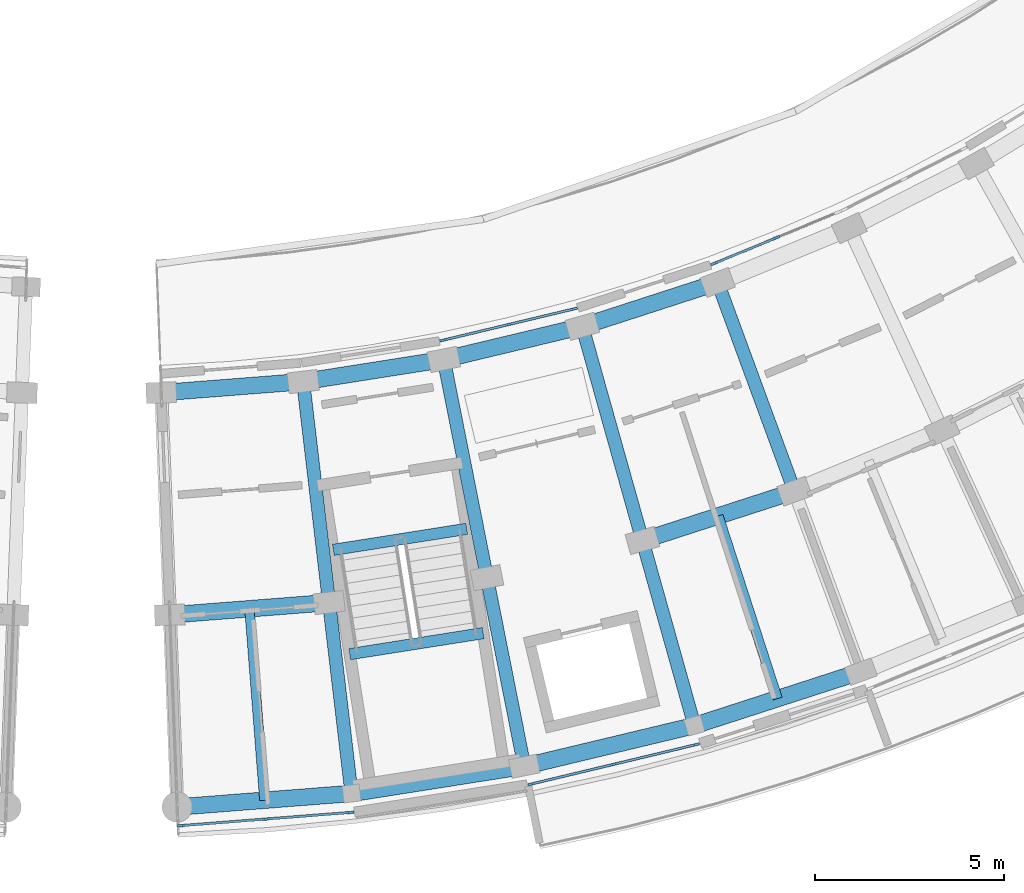
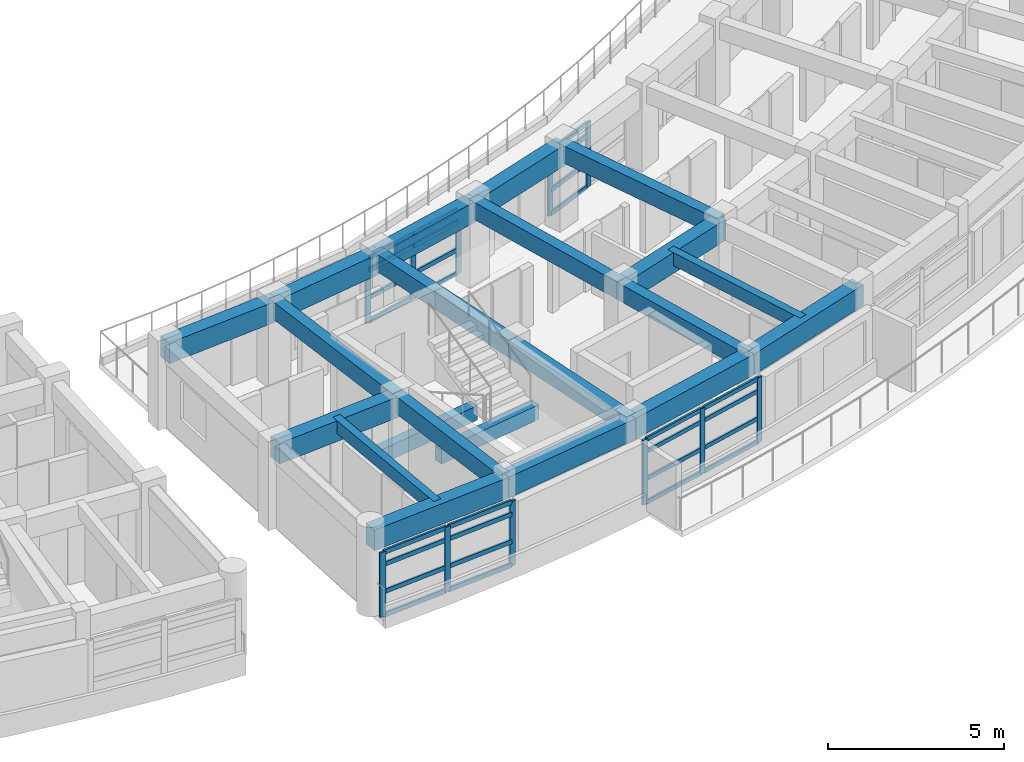
# One storey, part 17 of 54: 39 members, 21 beams, 4 elements without a shape of their own.
"""IFC4 building model written with IfcOpenShell, lengths in metres."""

from ifc_helpers import new_model, si_unit, direction, frame, origin, origin_2d, place, context, subcontext, project, spatial, rectangle, extrude, material, material_profile, profile_set, type_object, element, aggregate, save


model = new_model("IFC4")

# Units and contexts
model_context = context("Model", 3, precision=1e-05, world=origin(), true_north=direction((0.0, 1.0)))
body_context = subcontext(model_context, "Body", "Model", "MODEL_VIEW")
ifc_project = project(units=[si_unit("LENGTHUNIT", "METRE"), si_unit("AREAUNIT", "SQUARE_METRE"), si_unit("VOLUMEUNIT", "CUBIC_METRE"), si_unit("PLANEANGLEUNIT", "RADIAN"), si_unit("MASSUNIT", "GRAM", prefix="KILO")], contexts=[model_context])

# Site, building, storey
site_placement = place(None, origin())
site = spatial("IfcSite", under=ifc_project, at=site_placement, CompositionType="ELEMENT")
building_placement = place(site_placement, origin())
building = spatial("IfcBuilding", under=site, at=building_placement, Name="Zimvara Arc Housing Community", CompositionType="ELEMENT")
storey_placement = place(building_placement, frame((0.0, 0.0, 20.5)))
storey = spatial("IfcBuildingStorey", under=building, at=storey_placement, Name="L06", CompositionType="ELEMENT", Elevation=20.5)

# Beams
ifc_material_1 = material(Name="Concrete C40/50", Category="concrete")
ifc_material_profile_1 = material_profile(ifc_material_1, rectangle(XDim=0.25, YDim=0.449951171875, at=origin_2d()), Name="RC 250x450")
ifc_profile_set_1 = profile_set([ifc_material_profile_1], Name="Concrete C40/50")
beam_type_1 = type_object("IfcBeamType", Name="BM-RC-250x450", PredefinedType="JOIST", material=ifc_profile_set_1)
beam_1_placement = place(storey_placement, frame((130.151123046875, 56.263427734375, 2.635009765625), z_axis=(0.077579175615, -0.996986194243, 0.0), x_axis=(0.996986194243, 0.077579175615, 0.0)))
element("IfcBeam", 1, at=beam_1_placement, inside=storey, type_object=beam_type_1, Name="bm:blkD:L06:joist:b0", PredefinedType="JOIST", context=body_context, shape_type="SweptSolid", body=[
    extrude(rectangle(XDim=0.25, YDim=0.449951171875, at=origin_2d()), origin(), (0.0, 0.0, 1.0), 5.076171875),
])
beam_2_placement = place(storey_placement, frame((142.547607421875, 58.718017578125, 2.635009765625), z_axis=(0.308208278328, -0.951318904033, 0.0), x_axis=(0.951318904033, 0.308208278328, 0.0)))
element("IfcBeam", 2, at=beam_2_placement, inside=storey, type_object=beam_type_1, Name="bm:blkD:L06:joist:b3", PredefinedType="JOIST", context=body_context, shape_type="SweptSolid", body=[
    extrude(rectangle(XDim=0.25, YDim=0.449951171875, at=origin_2d()), origin(), (0.0, 0.0, 1.0), 5.075927734375),
])
ifc_material_2 = material(Name="Concrete C40/50", Category="concrete")
ifc_material_profile_2 = material_profile(ifc_material_2, rectangle(XDim=0.300048828125, YDim=0.5, at=origin_2d()), Name="RC 300x500")
ifc_profile_set_2 = profile_set([ifc_material_profile_2], Name="Concrete C40/50")
beam_type_2 = type_object("IfcBeamType", Name="BM-RC-300x500", PredefinedType="BEAM", material=ifc_profile_set_2)
for number, where, z_axis, x_axis, name in (
    (3, (132.36865234375, 57.8203125, -0.25), (0.987823881982, 0.155576277709, 0.0), (-0.155576277709, 0.987823881982, 0.0), "bm:stair_trim:ST-D1:L06:near"),
    (4, (132.802734375, 55.064208984375, 1.300048828125), (0.987823881982, 0.155576277709, 0.0), (-0.155576277709, 0.987823881982, 0.0), "bm:stair_trim:ST-D1:L06:mid"),
):
    element("IfcBeam", number, at=place(storey_placement, frame(where, z_axis=z_axis, x_axis=x_axis)), inside=storey, type_object=beam_type_2, Name=name, PredefinedType="BEAM", context=body_context, shape_type="SweptSolid", body=[
        extrude(rectangle(XDim=0.300048828125, YDim=0.5, at=origin_2d()), origin(), (0.0, 0.0, 1.0), 3.570068359375),
    ])
ifc_material_3 = material(Name="Concrete C40/50", Category="concrete")
ifc_material_profile_3 = material_profile(ifc_material_3, rectangle(XDim=0.35009765625, YDim=0.60009765625, at=origin_2d()), Name="RC 350x600")
ifc_profile_set_3 = profile_set([ifc_material_profile_3], Name="Concrete C40/50")
beam_type_3 = type_object("IfcBeamType", Name="BM-RC-350x600", PredefinedType="BEAM", material=ifc_profile_set_3)
beam_3_placement = place(storey_placement, frame((131.57080078125, 62.267333984375, 2.56005859375), z_axis=(0.116672613124, -0.993170429154, 0.0), x_axis=(0.993170429154, 0.116672613124, 0.0)))
element("IfcBeam", 5, at=beam_3_placement, inside=storey, type_object=beam_type_3, Name="bm:blkD:L06:rad:b1:r12", PredefinedType="BEAM", context=body_context, shape_type="SweptSolid", body=[
    extrude(rectangle(XDim=0.35009765625, YDim=0.60009765625, at=origin_2d()), origin(), (0.0, 0.0, 1.0), 5.8798828125),
])
beam_4_placement = place(storey_placement, frame((132.2568359375, 56.427490234375, 2.56005859375), z_axis=(0.116685098261, -0.993168962384, 0.0), x_axis=(0.993168962384, 0.116685098261, 0.0)))
element("IfcBeam", 6, at=beam_4_placement, inside=storey, type_object=beam_type_3, Name="bm:blkD:L06:rad:b1:r23", PredefinedType="BEAM", context=body_context, shape_type="SweptSolid", body=[
    extrude(rectangle(XDim=0.35009765625, YDim=0.60009765625, at=origin_2d()), origin(), (0.0, 0.0, 1.0), 5.080078125),
])
beam_5_placement = place(storey_placement, frame((135.28759765625, 62.8525390625, 2.56005859375), z_axis=(0.194239306935, -0.980954174078, 0.0), x_axis=(0.980954174078, 0.194239306935, 0.0)))
element("IfcBeam", 7, at=beam_5_placement, inside=storey, type_object=beam_type_3, Name="bm:blkD:L06:rad:b2:r12", PredefinedType="BEAM", context=body_context, shape_type="SweptSolid", body=[
    extrude(rectangle(XDim=0.35009765625, YDim=0.60009765625, at=origin_2d()), origin(), (0.0, 0.0, 1.0), 5.8798828125),
])
beam_6_placement = place(storey_placement, frame((136.4296875, 57.084716796875, 2.56005859375), z_axis=(0.194248925774, -0.980952269397, 0.0), x_axis=(0.980952269397, 0.194248925774, 0.0)))
element("IfcBeam", 8, at=beam_6_placement, inside=storey, type_object=beam_type_3, Name="bm:blkD:L06:rad:b2:r23", PredefinedType="BEAM", context=body_context, shape_type="SweptSolid", body=[
    extrude(rectangle(XDim=0.35009765625, YDim=0.60009765625, at=origin_2d()), origin(), (0.0, 0.0, 1.0), 5.080078125),
])
beam_7_placement = place(storey_placement, frame((138.947265625, 63.727783203125, 2.56005859375), z_axis=(0.270589260785, -0.962694890372, 0.0), x_axis=(0.962694890372, 0.270589260785, 0.0)))
element("IfcBeam", 9, at=beam_7_placement, inside=storey, type_object=beam_type_3, Name="bm:blkD:L06:rad:b3:r12", PredefinedType="BEAM", context=body_context, shape_type="SweptSolid", body=[
    extrude(rectangle(XDim=0.35009765625, YDim=0.60009765625, at=origin_2d()), origin(), (0.0, 0.0, 1.0), 5.8798828125),
])
beam_8_placement = place(storey_placement, frame((140.538330078125, 58.067138671875, 2.56005859375), z_axis=(0.270579949442, -0.962697507507, 0.0), x_axis=(0.962697507507, 0.270579949442, 0.0)))
element("IfcBeam", 10, at=beam_8_placement, inside=storey, type_object=beam_type_3, Name="bm:blkD:L06:rad:b3:r23", PredefinedType="BEAM", context=body_context, shape_type="SweptSolid", body=[
    extrude(rectangle(XDim=0.35009765625, YDim=0.60009765625, at=origin_2d()), origin(), (0.0, 0.0, 1.0), 5.079833984375),
])
beam_9_placement = place(storey_placement, frame((142.526611328125, 64.887451171875, 2.56005859375), z_axis=(0.345324356241, -0.938483398354, 0.0), x_axis=(0.938483398354, 0.345324356241, 0.0)))
element("IfcBeam", 11, at=beam_9_placement, inside=storey, type_object=beam_type_3, Name="bm:blkD:L06:rad:b4:r12", PredefinedType="BEAM", context=body_context, shape_type="SweptSolid", body=[
    extrude(rectangle(XDim=0.35009765625, YDim=0.60009765625, at=origin_2d()), origin(), (0.0, 0.0, 1.0), 5.880126953125),
])
ifc_material_4 = material(Name="Concrete C40/50", Category="concrete")
ifc_material_profile_4 = material_profile(ifc_material_4, rectangle(XDim=0.43994140625, YDim=0.719970703125, at=origin_2d()), Name="RC 440x720")
ifc_profile_set_4 = profile_set([ifc_material_profile_4], Name="Concrete C40/50")
beam_type_4 = type_object("IfcBeamType", Name="BM-RC-440x720", PredefinedType="BEAM", material=ifc_profile_set_4)
beam_10_placement = place(storey_placement, frame((127.819580078125, 61.975341796875, 2.5), z_axis=(0.996984223393, 0.077604499263, 0.0), x_axis=(-0.077604499263, 0.996984223393, 0.0)))
element("IfcBeam", 12, at=beam_10_placement, inside=storey, type_object=beam_type_4, Name="bm:blkD:L06:chord:r1:b0", PredefinedType="BEAM", context=body_context, shape_type="SweptSolid", body=[
    extrude(rectangle(XDim=0.43994140625, YDim=0.719970703125, at=origin_2d()), origin(), (0.0, 0.0, 1.0), 3.762451171875),
])
beam_11_placement = place(storey_placement, frame((131.57080078125, 62.267333984375, 2.5), z_axis=(0.987830739488, 0.155532730068, 0.0), x_axis=(-0.155532730068, 0.987830739488, 0.0)))
element("IfcBeam", 13, at=beam_11_placement, inside=storey, type_object=beam_type_4, Name="bm:blkD:L06:chord:r1:b1", PredefinedType="BEAM", context=body_context, shape_type="SweptSolid", body=[
    extrude(rectangle(XDim=0.43994140625, YDim=0.719970703125, at=origin_2d()), origin(), (0.0, 0.0, 1.0), 3.7626953125),
])
beam_12_placement = place(storey_placement, frame((135.28759765625, 62.8525390625, 2.5), z_axis=(0.97257251046, 0.232599896598, 0.0), x_axis=(-0.232599896598, 0.97257251046, 0.0)))
element("IfcBeam", 14, at=beam_12_placement, inside=storey, type_object=beam_type_4, Name="bm:blkD:L06:chord:r1:b2", PredefinedType="BEAM", context=body_context, shape_type="SweptSolid", body=[
    extrude(rectangle(XDim=0.43994140625, YDim=0.719970703125, at=origin_2d()), origin(), (0.0, 0.0, 1.0), 3.762939453125),
])
beam_13_placement = place(storey_placement, frame((138.947265625, 63.727783203125, 2.5), z_axis=(0.951316439628, 0.308215884881, 0.0), x_axis=(-0.308215884881, 0.951316439628, 0.0)))
element("IfcBeam", 15, at=beam_13_placement, inside=storey, type_object=beam_type_4, Name="bm:blkD:L06:chord:r1:b3", PredefinedType="BEAM", context=body_context, shape_type="SweptSolid", body=[
    extrude(rectangle(XDim=0.43994140625, YDim=0.719970703125, at=origin_2d()), origin(), (0.0, 0.0, 1.0), 3.762451171875),
])
for number, where, z_axis, x_axis, name in (
    (16, (128.045166015625, 56.099609375, 2.5), (0.996983350574, 0.077615711543, 0.0), (-0.077615711543, 0.996983350574, 0.0), "bm:blkD:L06:chord:r2:b0"),
    (17, (140.538330078125, 58.067138671875, 2.5), (0.951319487454, 0.308206477528, 0.0), (-0.308206477528, 0.951319487454, 0.0), "bm:blkD:L06:chord:r2:b3"),
):
    element("IfcBeam", number, at=place(storey_placement, frame(where, z_axis=z_axis, x_axis=x_axis)), inside=storey, type_object=beam_type_4, Name=name, PredefinedType="BEAM", context=body_context, shape_type="SweptSolid", body=[
        extrude(rectangle(XDim=0.43994140625, YDim=0.719970703125, at=origin_2d()), origin(), (0.0, 0.0, 1.0), 4.224365234375),
    ])
for number, where, z_axis, x_axis, name in (
    (18, (128.240234375, 51.0234375, 2.5), (0.996986694494, 0.077572746515, 0.0), (-0.077572746515, 0.996986694494, 0.0), "bm:blkD:L06:chord:r3:b0"),
    (19, (132.849609375, 51.382080078125, 2.5), (0.987824544931, 0.155572068287, 0.0), (-0.155572068287, 0.987824544931, 0.0), "bm:blkD:L06:chord:r3:b1"),
):
    element("IfcBeam", number, at=place(storey_placement, frame(where, z_axis=z_axis, x_axis=x_axis)), inside=storey, type_object=beam_type_4, Name=name, PredefinedType="BEAM", context=body_context, shape_type="SweptSolid", body=[
        extrude(rectangle(XDim=0.43994140625, YDim=0.719970703125, at=origin_2d()), origin(), (0.0, 0.0, 1.0), 4.623291015625),
    ])
beam_14_placement = place(storey_placement, frame((137.41650390625, 52.101318359375, 2.5), z_axis=(0.972567724572, 0.232619906974, 0.0), x_axis=(-0.232619906974, 0.972567724572, 0.0)))
element("IfcBeam", 20, at=beam_14_placement, inside=storey, type_object=beam_type_4, Name="bm:blkD:L06:chord:r3:b2", PredefinedType="BEAM", context=body_context, shape_type="SweptSolid", body=[
    extrude(rectangle(XDim=0.43994140625, YDim=0.719970703125, at=origin_2d()), origin(), (0.0, 0.0, 1.0), 4.623046875),
])
beam_15_placement = place(storey_placement, frame((141.912841796875, 53.1767578125, 2.5), z_axis=(0.951331650007, 0.308168933695, 0.0), x_axis=(-0.308168933695, 0.951331650007, 0.0)))
element("IfcBeam", 21, at=beam_15_placement, inside=storey, type_object=beam_type_4, Name="bm:blkD:L06:chord:r3:b3", PredefinedType="BEAM", context=body_context, shape_type="SweptSolid", body=[
    extrude(rectangle(XDim=0.43994140625, YDim=0.719970703125, at=origin_2d()), origin(), (0.0, 0.0, 1.0), 4.62353515625),
])

# Curtain wall, members
ifc_material_5 = material(Name="Anodised Aluminium AW-6063", Category="aluminium")
curtain_wall_type_1 = type_object("IfcCurtainWallType", Name="CW-SYS-06", PredefinedType="USERDEFINED", material=ifc_material_5)
curtain_wall_1_placement = place(storey_placement, origin())
curtain_wall_1 = element("IfcCurtainWall", 22, at=curtain_wall_1_placement, inside=storey, type_object=curtain_wall_type_1, Name="cw:blkD:L06:out:b2", ObjectType="CURTAIN WALL", PredefinedType="USERDEFINED")
ifc_material_6 = material(Name="Anodised Aluminium AW-6063", Category="aluminium")
ifc_material_profile_5 = material_profile(ifc_material_6, rectangle(XDim=0.06494140625, YDim=0.179931640625, at=origin_2d()), Name="ALU 65x180")
ifc_profile_set_5 = profile_set([ifc_material_profile_5], Name="Anodised Aluminium AW-6063")
member_type_1 = type_object("IfcMemberType", Name="CWM-65x150", PredefinedType="MULLION", material=ifc_profile_set_5)
member_1_placement = place(storey_placement, frame((137.603515625, 51.63232421875, 0.0), z_axis=(0.0, 0.0, 1.0), x_axis=(-0.232596798101, 0.97257325149, 0.0)))
member_1 = element("IfcMember", 23, at=member_1_placement, type_object=member_type_1, Name="CW06 mullion 1", PredefinedType="MULLION", context=body_context, shape_type="SweptSolid", body=[
    extrude(rectangle(XDim=0.06494140625, YDim=0.179931640625, at=origin_2d()), origin(), (0.0, 0.0, 1.0), 2.25),
])
member_2_placement = place(storey_placement, frame((139.781005859375, 52.153076171875, 0.0), z_axis=(0.0, 0.0, 1.0), x_axis=(-0.232596798101, 0.97257325149, 0.0)))
member_2 = element("IfcMember", 24, at=member_2_placement, type_object=member_type_1, Name="CW06 mullion 2", PredefinedType="MULLION", context=body_context, shape_type="SweptSolid", body=[
    extrude(rectangle(XDim=0.06494140625, YDim=0.179931640625, at=origin_2d()), origin(), (0.0, 0.0, 1.0), 2.25),
])
member_3_placement = place(storey_placement, frame((141.958251953125, 52.673828125, 0.0), z_axis=(0.0, 0.0, 1.0), x_axis=(-0.232596798101, 0.97257325149, 0.0)))
member_3 = element("IfcMember", 25, at=member_3_placement, type_object=member_type_1, Name="CW06 mullion 3", PredefinedType="MULLION", context=body_context, shape_type="SweptSolid", body=[
    extrude(rectangle(XDim=0.06494140625, YDim=0.179931640625, at=origin_2d()), origin(), (0.0, 0.0, 1.0), 2.25),
])

ifc_material_7 = material(Name="Anodised Aluminium AW-6063", Category="aluminium")
curtain_wall_type_2 = type_object("IfcCurtainWallType", Name="CW-SYS-05", PredefinedType="USERDEFINED", material=ifc_material_7)
curtain_wall_2_placement = place(storey_placement, origin())
curtain_wall_2 = element("IfcCurtainWall", 26, at=curtain_wall_2_placement, inside=storey, type_object=curtain_wall_type_2, Name="cw:blkD:L06:out:b0", ObjectType="CURTAIN WALL", PredefinedType="USERDEFINED")
ifc_material_8 = material(Name="Anodised Aluminium AW-6063", Category="aluminium")
ifc_material_profile_6 = material_profile(ifc_material_8, rectangle(XDim=0.06494140625, YDim=0.195068359375, at=origin_2d()), Name="ALU 65x195")
ifc_profile_set_6 = profile_set([ifc_material_profile_6], Name="Anodised Aluminium AW-6063")
member_type_2 = type_object("IfcMemberType", Name="CWM-65x180", PredefinedType="MULLION", material=ifc_profile_set_6)
member_4_placement = place(storey_placement, frame((128.351806640625, 50.531005859375, 0.0), z_axis=(0.0, 0.0, 1.0), x_axis=(-0.077589538059, 0.996985387849, 0.0)))
member_4 = element("IfcMember", 27, at=member_4_placement, type_object=member_type_2, Name="CW05 mullion 1", PredefinedType="MULLION", context=body_context, shape_type="SweptSolid", body=[
    extrude(rectangle(XDim=0.06494140625, YDim=0.195068359375, at=origin_2d()), origin(), (0.0, 0.0, 1.0), 2.25),
])
member_5_placement = place(storey_placement, frame((130.583740234375, 50.70458984375, 0.0), z_axis=(0.0, 0.0, 1.0), x_axis=(-0.077589538059, 0.996985387849, 0.0)))
member_5 = element("IfcMember", 28, at=member_5_placement, type_object=member_type_2, Name="CW05 mullion 2", PredefinedType="MULLION", context=body_context, shape_type="SweptSolid", body=[
    extrude(rectangle(XDim=0.06494140625, YDim=0.195068359375, at=origin_2d()), origin(), (0.0, 0.0, 1.0), 2.25),
])
member_6_placement = place(storey_placement, frame((132.815673828125, 50.87841796875, 0.0), z_axis=(0.0, 0.0, 1.0), x_axis=(-0.077589538059, 0.996985387849, 0.0)))
member_6 = element("IfcMember", 29, at=member_6_placement, type_object=member_type_2, Name="CW05 mullion 3", PredefinedType="MULLION", context=body_context, shape_type="SweptSolid", body=[
    extrude(rectangle(XDim=0.06494140625, YDim=0.195068359375, at=origin_2d()), origin(), (0.0, 0.0, 1.0), 2.25),
])

ifc_material_9 = material(Name="Anodised Aluminium AW-6063", Category="aluminium")
curtain_wall_type_3 = type_object("IfcCurtainWallType", Name="CW-SYS-07", PredefinedType="USERDEFINED", material=ifc_material_9)
curtain_wall_3_placement = place(storey_placement, origin())
curtain_wall_3 = element("IfcCurtainWall", 30, at=curtain_wall_3_placement, inside=storey, type_object=curtain_wall_type_3, Name="cw:blkD:L06:in:b2", ObjectType="CURTAIN WALL", PredefinedType="USERDEFINED")
member_7_placement = place(storey_placement, frame((135.280517578125, 63.364501953125, 0.0), z_axis=(0.0, 0.0, 1.0), x_axis=(-0.232597009774, 0.972573200867, 0.0)))
member_7 = element("IfcMember", 31, at=member_7_placement, type_object=member_type_2, Name="CW07 mullion 1", PredefinedType="MULLION", context=body_context, shape_type="SweptSolid", body=[
    extrude(rectangle(XDim=0.06494140625, YDim=0.195068359375, at=origin_2d()), origin(), (0.0, 0.0, 1.0), 2.25),
])
member_8_placement = place(storey_placement, frame((137.001220703125, 63.776123046875, 0.0), z_axis=(0.0, 0.0, 1.0), x_axis=(-0.232597009774, 0.972573200867, 0.0)))
member_8 = element("IfcMember", 32, at=member_8_placement, type_object=member_type_2, Name="CW07 mullion 2", PredefinedType="MULLION", context=body_context, shape_type="SweptSolid", body=[
    extrude(rectangle(XDim=0.06494140625, YDim=0.195068359375, at=origin_2d()), origin(), (0.0, 0.0, 1.0), 2.25),
])
member_9_placement = place(storey_placement, frame((138.721923828125, 64.187744140625, 0.0), z_axis=(0.0, 0.0, 1.0), x_axis=(-0.232597009774, 0.972573200867, 0.0)))
member_9 = element("IfcMember", 33, at=member_9_placement, type_object=member_type_2, Name="CW07 mullion 3", PredefinedType="MULLION", context=body_context, shape_type="SweptSolid", body=[
    extrude(rectangle(XDim=0.06494140625, YDim=0.195068359375, at=origin_2d()), origin(), (0.0, 0.0, 1.0), 2.25),
])

ifc_material_10 = material(Name="Anodised Aluminium AW-6063", Category="aluminium")
curtain_wall_type_4 = type_object("IfcCurtainWallType", Name="CW-SYS-01", PredefinedType="USERDEFINED", material=ifc_material_10)
curtain_wall_4_placement = place(storey_placement, origin())
curtain_wall_4 = element("IfcCurtainWall", 34, at=curtain_wall_4_placement, inside=storey, type_object=curtain_wall_type_4, Name="cw:blkD:L06:in:b4", ObjectType="CURTAIN WALL", PredefinedType="USERDEFINED")
member_10_placement = place(storey_placement, frame((142.439453125, 65.39208984375, 0.0), z_axis=(0.0, 0.0, 1.0), x_axis=(-0.381878016422, 0.924212735561, 0.0)))
member_10 = element("IfcMember", 35, at=member_10_placement, type_object=member_type_2, Name="CW01 mullion 1", PredefinedType="MULLION", context=body_context, shape_type="SweptSolid", body=[
    extrude(rectangle(XDim=0.06494140625, YDim=0.195068359375, at=origin_2d()), origin(), (0.0, 0.0, 1.0), 2.25),
])
member_11_placement = place(storey_placement, frame((144.07470703125, 66.067626953125, 0.0), z_axis=(0.0, 0.0, 1.0), x_axis=(-0.381878016422, 0.924212735561, 0.0)))
member_11 = element("IfcMember", 36, at=member_11_placement, type_object=member_type_2, Name="CW01 mullion 2", PredefinedType="MULLION", context=body_context, shape_type="SweptSolid", body=[
    extrude(rectangle(XDim=0.06494140625, YDim=0.195068359375, at=origin_2d()), origin(), (0.0, 0.0, 1.0), 2.25),
])

# Member
ifc_material_11 = material(Name="Anodised Aluminium AW-6063", Category="aluminium")
ifc_material_profile_7 = material_profile(ifc_material_11, rectangle(XDim=0.06494140625, YDim=0.139892578125, at=origin_2d()), Name="ALU 65x140")
ifc_profile_set_7 = profile_set([ifc_material_profile_7], Name="Anodised Aluminium AW-6063")
member_type_3 = type_object("IfcMemberType", Name="CWT-65x120", PredefinedType="USERDEFINED", material=ifc_profile_set_7)
member_12_placement = place(storey_placement, frame((137.63525390625, 51.639892578125, 0.032470703125), z_axis=(0.972569501663, 0.232612476954, 0.0), x_axis=(-0.232612476954, 0.972569501663, 0.0)))
member_12 = element("IfcMember", 37, at=member_12_placement, type_object=member_type_3, Name="CW06 transom 1.1", ObjectType="TRANSOM", PredefinedType="USERDEFINED", context=body_context, shape_type="SweptSolid", body=[
    extrude(rectangle(XDim=0.06494140625, YDim=0.139892578125, at=origin_2d()), origin(), (0.0, 0.0, 1.0), 2.173583984375),
])

member_13_placement = place(storey_placement, frame((137.63525390625, 51.639892578125, 0.85009765625), z_axis=(0.972569501663, 0.232612476954, 0.0), x_axis=(-0.232612476954, 0.972569501663, 0.0)))
member_13 = element("IfcMember", 38, at=member_13_placement, type_object=member_type_3, Name="CW06 transom 1.2", ObjectType="TRANSOM", PredefinedType="USERDEFINED", context=body_context, shape_type="SweptSolid", body=[
    extrude(rectangle(XDim=0.06494140625, YDim=0.139892578125, at=origin_2d()), origin(), (0.0, 0.0, 1.0), 2.173583984375),
])

member_14_placement = place(storey_placement, frame((137.63525390625, 51.639892578125, 1.800048828125), z_axis=(0.972569501663, 0.232612476954, 0.0), x_axis=(-0.232612476954, 0.972569501663, 0.0)))
member_14 = element("IfcMember", 39, at=member_14_placement, type_object=member_type_3, Name="CW06 transom 1.3", ObjectType="TRANSOM", PredefinedType="USERDEFINED", context=body_context, shape_type="SweptSolid", body=[
    extrude(rectangle(XDim=0.06494140625, YDim=0.139892578125, at=origin_2d()), origin(), (0.0, 0.0, 1.0), 2.173583984375),
])

member_15_placement = place(storey_placement, frame((137.63525390625, 51.639892578125, 2.217529296875), z_axis=(0.972569501663, 0.232612476954, 0.0), x_axis=(-0.232612476954, 0.972569501663, 0.0)))
member_15 = element("IfcMember", 40, at=member_15_placement, type_object=member_type_3, Name="CW06 transom 1.4", ObjectType="TRANSOM", PredefinedType="USERDEFINED", context=body_context, shape_type="SweptSolid", body=[
    extrude(rectangle(XDim=0.06494140625, YDim=0.139892578125, at=origin_2d()), origin(), (0.0, 0.0, 1.0), 2.173583984375),
])

member_16_placement = place(storey_placement, frame((139.8125, 52.16064453125, 0.032470703125), z_axis=(0.972575578083, 0.232587069539, 0.0), x_axis=(-0.232587069539, 0.972575578083, 0.0)))
member_16 = element("IfcMember", 41, at=member_16_placement, type_object=member_type_3, Name="CW06 transom 2.1", ObjectType="TRANSOM", PredefinedType="USERDEFINED", context=body_context, shape_type="SweptSolid", body=[
    extrude(rectangle(XDim=0.06494140625, YDim=0.139892578125, at=origin_2d()), origin(), (0.0, 0.0, 1.0), 2.173828125),
])

member_17_placement = place(storey_placement, frame((139.8125, 52.16064453125, 0.85009765625), z_axis=(0.972575578083, 0.232587069539, 0.0), x_axis=(-0.232587069539, 0.972575578083, 0.0)))
member_17 = element("IfcMember", 42, at=member_17_placement, type_object=member_type_3, Name="CW06 transom 2.2", ObjectType="TRANSOM", PredefinedType="USERDEFINED", context=body_context, shape_type="SweptSolid", body=[
    extrude(rectangle(XDim=0.06494140625, YDim=0.139892578125, at=origin_2d()), origin(), (0.0, 0.0, 1.0), 2.173828125),
])

member_18_placement = place(storey_placement, frame((139.8125, 52.16064453125, 1.800048828125), z_axis=(0.972575578083, 0.232587069539, 0.0), x_axis=(-0.232587069539, 0.972575578083, 0.0)))
member_18 = element("IfcMember", 43, at=member_18_placement, type_object=member_type_3, Name="CW06 transom 2.3", ObjectType="TRANSOM", PredefinedType="USERDEFINED", context=body_context, shape_type="SweptSolid", body=[
    extrude(rectangle(XDim=0.06494140625, YDim=0.139892578125, at=origin_2d()), origin(), (0.0, 0.0, 1.0), 2.173828125),
])

member_19_placement = place(storey_placement, frame((139.8125, 52.16064453125, 2.217529296875), z_axis=(0.972575578083, 0.232587069539, 0.0), x_axis=(-0.232587069539, 0.972575578083, 0.0)))
member_19 = element("IfcMember", 44, at=member_19_placement, type_object=member_type_3, Name="CW06 transom 2.4", ObjectType="TRANSOM", PredefinedType="USERDEFINED", context=body_context, shape_type="SweptSolid", body=[
    extrude(rectangle(XDim=0.06494140625, YDim=0.139892578125, at=origin_2d()), origin(), (0.0, 0.0, 1.0), 2.173828125),
])

aggregate(curtain_wall_1, [member_1, member_2, member_3, member_12, member_13, member_14, member_15, member_16, member_17, member_18, member_19])

ifc_material_12 = material(Name="Anodised Aluminium AW-6063", Category="aluminium")
ifc_material_profile_8 = material_profile(ifc_material_12, rectangle(XDim=0.06494140625, YDim=0.155029296875, at=origin_2d()), Name="ALU 65x155")
ifc_profile_set_8 = profile_set([ifc_material_profile_8], Name="Anodised Aluminium AW-6063")
member_type_4 = type_object("IfcMemberType", Name="CWT-65x140", PredefinedType="USERDEFINED", material=ifc_profile_set_8)
member_20_placement = place(storey_placement, frame((128.384033203125, 50.533447265625, 0.032470703125), z_axis=(0.99698404072, 0.077606846022, 0.0), x_axis=(-0.077606846022, 0.99698404072, 0.0)))
member_20 = element("IfcMember", 45, at=member_20_placement, type_object=member_type_4, Name="CW05 transom 1.1", ObjectType="TRANSOM", PredefinedType="USERDEFINED", context=body_context, shape_type="SweptSolid", body=[
    extrude(rectangle(XDim=0.06494140625, YDim=0.155029296875, at=origin_2d()), origin(), (0.0, 0.0, 1.0), 2.173828125),
])

member_21_placement = place(storey_placement, frame((128.384033203125, 50.533447265625, 0.85009765625), z_axis=(0.99698404072, 0.077606846022, 0.0), x_axis=(-0.077606846022, 0.99698404072, 0.0)))
member_21 = element("IfcMember", 46, at=member_21_placement, type_object=member_type_4, Name="CW05 transom 1.2", ObjectType="TRANSOM", PredefinedType="USERDEFINED", context=body_context, shape_type="SweptSolid", body=[
    extrude(rectangle(XDim=0.06494140625, YDim=0.155029296875, at=origin_2d()), origin(), (0.0, 0.0, 1.0), 2.173828125),
])

member_22_placement = place(storey_placement, frame((128.384033203125, 50.533447265625, 1.800048828125), z_axis=(0.99698404072, 0.077606846022, 0.0), x_axis=(-0.077606846022, 0.99698404072, 0.0)))
member_22 = element("IfcMember", 47, at=member_22_placement, type_object=member_type_4, Name="CW05 transom 1.3", ObjectType="TRANSOM", PredefinedType="USERDEFINED", context=body_context, shape_type="SweptSolid", body=[
    extrude(rectangle(XDim=0.06494140625, YDim=0.155029296875, at=origin_2d()), origin(), (0.0, 0.0, 1.0), 2.173828125),
])

member_23_placement = place(storey_placement, frame((128.384033203125, 50.533447265625, 2.217529296875), z_axis=(0.99698404072, 0.077606846022, 0.0), x_axis=(-0.077606846022, 0.99698404072, 0.0)))
member_23 = element("IfcMember", 48, at=member_23_placement, type_object=member_type_4, Name="CW05 transom 1.4", ObjectType="TRANSOM", PredefinedType="USERDEFINED", context=body_context, shape_type="SweptSolid", body=[
    extrude(rectangle(XDim=0.06494140625, YDim=0.155029296875, at=origin_2d()), origin(), (0.0, 0.0, 1.0), 2.173828125),
])

member_24_placement = place(storey_placement, frame((130.6162109375, 50.707275390625, 0.032470703125), z_axis=(0.996992049751, 0.0775038885, 0.0), x_axis=(-0.0775038885, 0.996992049751, 0.0)))
member_24 = element("IfcMember", 49, at=member_24_placement, type_object=member_type_4, Name="CW05 transom 2.1", ObjectType="TRANSOM", PredefinedType="USERDEFINED", context=body_context, shape_type="SweptSolid", body=[
    extrude(rectangle(XDim=0.06494140625, YDim=0.155029296875, at=origin_2d()), origin(), (0.0, 0.0, 1.0), 2.173583984375),
])

member_25_placement = place(storey_placement, frame((130.6162109375, 50.707275390625, 0.85009765625), z_axis=(0.996992049751, 0.0775038885, 0.0), x_axis=(-0.0775038885, 0.996992049751, 0.0)))
member_25 = element("IfcMember", 50, at=member_25_placement, type_object=member_type_4, Name="CW05 transom 2.2", ObjectType="TRANSOM", PredefinedType="USERDEFINED", context=body_context, shape_type="SweptSolid", body=[
    extrude(rectangle(XDim=0.06494140625, YDim=0.155029296875, at=origin_2d()), origin(), (0.0, 0.0, 1.0), 2.173583984375),
])

member_26_placement = place(storey_placement, frame((130.6162109375, 50.707275390625, 1.800048828125), z_axis=(0.996992049751, 0.0775038885, 0.0), x_axis=(-0.0775038885, 0.996992049751, 0.0)))
member_26 = element("IfcMember", 51, at=member_26_placement, type_object=member_type_4, Name="CW05 transom 2.3", ObjectType="TRANSOM", PredefinedType="USERDEFINED", context=body_context, shape_type="SweptSolid", body=[
    extrude(rectangle(XDim=0.06494140625, YDim=0.155029296875, at=origin_2d()), origin(), (0.0, 0.0, 1.0), 2.173583984375),
])

member_27_placement = place(storey_placement, frame((130.6162109375, 50.707275390625, 2.217529296875), z_axis=(0.996992049751, 0.0775038885, 0.0), x_axis=(-0.0775038885, 0.996992049751, 0.0)))
member_27 = element("IfcMember", 52, at=member_27_placement, type_object=member_type_4, Name="CW05 transom 2.4", ObjectType="TRANSOM", PredefinedType="USERDEFINED", context=body_context, shape_type="SweptSolid", body=[
    extrude(rectangle(XDim=0.06494140625, YDim=0.155029296875, at=origin_2d()), origin(), (0.0, 0.0, 1.0), 2.173583984375),
])

aggregate(curtain_wall_2, [member_4, member_5, member_6, member_20, member_21, member_22, member_23, member_24, member_25, member_26, member_27])

member_28_placement = place(storey_placement, frame((135.312255859375, 63.3720703125, 0.032470703125), z_axis=(0.972561278115, 0.232646857513, 0.0), x_axis=(-0.232646857513, 0.972561278115, 0.0)))
member_28 = element("IfcMember", 53, at=member_28_placement, type_object=member_type_4, Name="CW07 transom 1.1", ObjectType="TRANSOM", PredefinedType="USERDEFINED", context=body_context, shape_type="SweptSolid", body=[
    extrude(rectangle(XDim=0.06494140625, YDim=0.155029296875, at=origin_2d()), origin(), (0.0, 0.0, 1.0), 1.704345703125),
])

member_29_placement = place(storey_placement, frame((135.312255859375, 63.3720703125, 0.85009765625), z_axis=(0.972561278115, 0.232646857513, 0.0), x_axis=(-0.232646857513, 0.972561278115, 0.0)))
member_29 = element("IfcMember", 54, at=member_29_placement, type_object=member_type_4, Name="CW07 transom 1.2", ObjectType="TRANSOM", PredefinedType="USERDEFINED", context=body_context, shape_type="SweptSolid", body=[
    extrude(rectangle(XDim=0.06494140625, YDim=0.155029296875, at=origin_2d()), origin(), (0.0, 0.0, 1.0), 1.704345703125),
])

member_30_placement = place(storey_placement, frame((135.312255859375, 63.3720703125, 1.800048828125), z_axis=(0.972561278115, 0.232646857513, 0.0), x_axis=(-0.232646857513, 0.972561278115, 0.0)))
member_30 = element("IfcMember", 55, at=member_30_placement, type_object=member_type_4, Name="CW07 transom 1.3", ObjectType="TRANSOM", PredefinedType="USERDEFINED", context=body_context, shape_type="SweptSolid", body=[
    extrude(rectangle(XDim=0.06494140625, YDim=0.155029296875, at=origin_2d()), origin(), (0.0, 0.0, 1.0), 1.704345703125),
])

member_31_placement = place(storey_placement, frame((135.312255859375, 63.3720703125, 2.217529296875), z_axis=(0.972561278115, 0.232646857513, 0.0), x_axis=(-0.232646857513, 0.972561278115, 0.0)))
member_31 = element("IfcMember", 56, at=member_31_placement, type_object=member_type_4, Name="CW07 transom 1.4", ObjectType="TRANSOM", PredefinedType="USERDEFINED", context=body_context, shape_type="SweptSolid", body=[
    extrude(rectangle(XDim=0.06494140625, YDim=0.155029296875, at=origin_2d()), origin(), (0.0, 0.0, 1.0), 1.704345703125),
])

member_32_placement = place(storey_placement, frame((137.032958984375, 63.78369140625, 0.032470703125), z_axis=(0.972553522856, 0.232679275356, 0.0), x_axis=(-0.232679275356, 0.972553522856, 0.0)))
member_32 = element("IfcMember", 57, at=member_32_placement, type_object=member_type_4, Name="CW07 transom 2.1", ObjectType="TRANSOM", PredefinedType="USERDEFINED", context=body_context, shape_type="SweptSolid", body=[
    extrude(rectangle(XDim=0.06494140625, YDim=0.155029296875, at=origin_2d()), origin(), (0.0, 0.0, 1.0), 1.7041015625),
])

member_33_placement = place(storey_placement, frame((137.032958984375, 63.78369140625, 0.85009765625), z_axis=(0.972553522856, 0.232679275356, 0.0), x_axis=(-0.232679275356, 0.972553522856, 0.0)))
member_33 = element("IfcMember", 58, at=member_33_placement, type_object=member_type_4, Name="CW07 transom 2.2", ObjectType="TRANSOM", PredefinedType="USERDEFINED", context=body_context, shape_type="SweptSolid", body=[
    extrude(rectangle(XDim=0.06494140625, YDim=0.155029296875, at=origin_2d()), origin(), (0.0, 0.0, 1.0), 1.7041015625),
])

member_34_placement = place(storey_placement, frame((137.032958984375, 63.78369140625, 1.800048828125), z_axis=(0.972553522856, 0.232679275356, 0.0), x_axis=(-0.232679275356, 0.972553522856, 0.0)))
member_34 = element("IfcMember", 59, at=member_34_placement, type_object=member_type_4, Name="CW07 transom 2.3", ObjectType="TRANSOM", PredefinedType="USERDEFINED", context=body_context, shape_type="SweptSolid", body=[
    extrude(rectangle(XDim=0.06494140625, YDim=0.155029296875, at=origin_2d()), origin(), (0.0, 0.0, 1.0), 1.7041015625),
])

member_35_placement = place(storey_placement, frame((137.032958984375, 63.78369140625, 2.217529296875), z_axis=(0.972553522856, 0.232679275356, 0.0), x_axis=(-0.232679275356, 0.972553522856, 0.0)))
member_35 = element("IfcMember", 60, at=member_35_placement, type_object=member_type_4, Name="CW07 transom 2.4", ObjectType="TRANSOM", PredefinedType="USERDEFINED", context=body_context, shape_type="SweptSolid", body=[
    extrude(rectangle(XDim=0.06494140625, YDim=0.155029296875, at=origin_2d()), origin(), (0.0, 0.0, 1.0), 1.7041015625),
])

aggregate(curtain_wall_3, [member_7, member_8, member_9, member_28, member_29, member_30, member_31, member_32, member_33, member_34, member_35])

member_36_placement = place(storey_placement, frame((142.469482421875, 65.404296875, 0.032470703125), z_axis=(0.924208677137, 0.381887838383, 0.0), x_axis=(-0.381887838383, 0.924208677137, 0.0)))
member_36 = element("IfcMember", 61, at=member_36_placement, type_object=member_type_4, Name="CW01 transom 1.1", ObjectType="TRANSOM", PredefinedType="USERDEFINED", context=body_context, shape_type="SweptSolid", body=[
    extrude(rectangle(XDim=0.06494140625, YDim=0.155029296875, at=origin_2d()), origin(), (0.0, 0.0, 1.0), 1.704345703125),
])

member_37_placement = place(storey_placement, frame((142.469482421875, 65.404296875, 0.85009765625), z_axis=(0.924208677137, 0.381887838383, 0.0), x_axis=(-0.381887838383, 0.924208677137, 0.0)))
member_37 = element("IfcMember", 62, at=member_37_placement, type_object=member_type_4, Name="CW01 transom 1.2", ObjectType="TRANSOM", PredefinedType="USERDEFINED", context=body_context, shape_type="SweptSolid", body=[
    extrude(rectangle(XDim=0.06494140625, YDim=0.155029296875, at=origin_2d()), origin(), (0.0, 0.0, 1.0), 1.704345703125),
])

member_38_placement = place(storey_placement, frame((142.469482421875, 65.404296875, 1.800048828125), z_axis=(0.924208677137, 0.381887838383, 0.0), x_axis=(-0.381887838383, 0.924208677137, 0.0)))
member_38 = element("IfcMember", 63, at=member_38_placement, type_object=member_type_4, Name="CW01 transom 1.3", ObjectType="TRANSOM", PredefinedType="USERDEFINED", context=body_context, shape_type="SweptSolid", body=[
    extrude(rectangle(XDim=0.06494140625, YDim=0.155029296875, at=origin_2d()), origin(), (0.0, 0.0, 1.0), 1.704345703125),
])

member_39_placement = place(storey_placement, frame((142.469482421875, 65.404296875, 2.217529296875), z_axis=(0.924208677137, 0.381887838383, 0.0), x_axis=(-0.381887838383, 0.924208677137, 0.0)))
member_39 = element("IfcMember", 64, at=member_39_placement, type_object=member_type_4, Name="CW01 transom 1.4", ObjectType="TRANSOM", PredefinedType="USERDEFINED", context=body_context, shape_type="SweptSolid", body=[
    extrude(rectangle(XDim=0.06494140625, YDim=0.155029296875, at=origin_2d()), origin(), (0.0, 0.0, 1.0), 1.704345703125),
])

aggregate(curtain_wall_4, [member_10, member_11, member_36, member_37, member_38, member_39])

save(model, "model.ifc")
